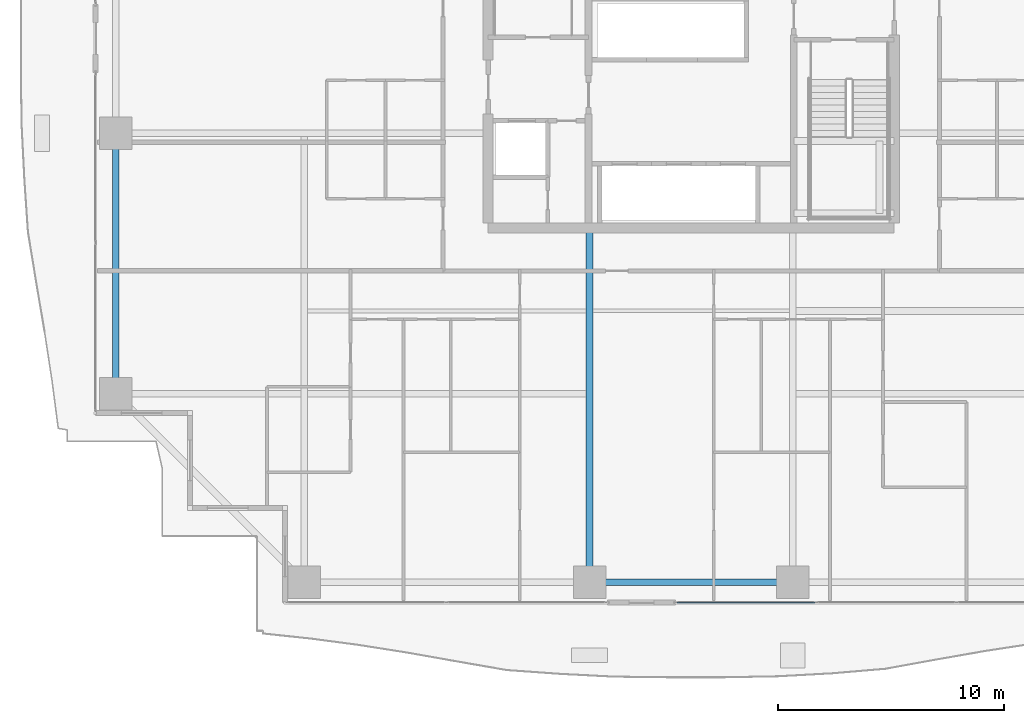
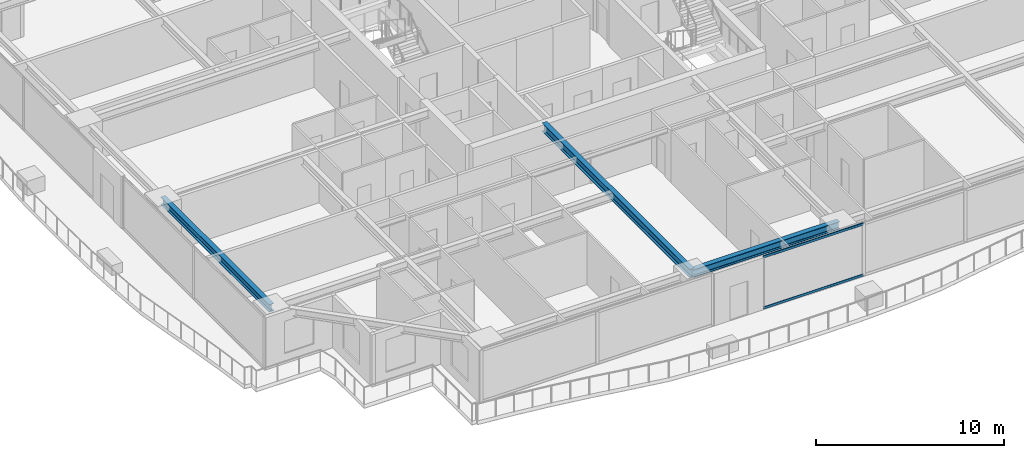
# One storey, part 6 of 40: 3 beams, 2 members, 1 element without a shape of its own.
"""IFC4 building model written with IfcOpenShell, lengths in metres."""

from ifc_helpers import new_model, si_unit, direction, frame, origin, origin_2d, place, context, subcontext, project, spatial, hollow_rectangle, i_section, extrude, source, transform, mapped, material, layer, layer_set, material_profile, profile_set, type_object, element, aggregate, save


model = new_model("IFC4")

# Units and contexts
model_context = context("Model", 3, precision=1e-05, world=origin(), true_north=direction((0.0, 1.0)))
body_context = subcontext(model_context, "Body", "Model", "MODEL_VIEW")
ifc_project = project(units=[si_unit("LENGTHUNIT", "METRE"), si_unit("AREAUNIT", "SQUARE_METRE"), si_unit("VOLUMEUNIT", "CUBIC_METRE"), si_unit("PLANEANGLEUNIT", "RADIAN"), si_unit("MASSUNIT", "GRAM", prefix="KILO")], contexts=[model_context])

# Site, building, storey
site_placement = place(None, origin())
site = spatial("IfcSite", under=ifc_project, at=site_placement, CompositionType="ELEMENT")
building_placement = place(site_placement, origin())
building = spatial("IfcBuilding", under=site, at=building_placement, Name="Serunith Strait Residences", CompositionType="ELEMENT")
storey_placement = place(building_placement, frame((0.0, 0.0, 105.449951171875)))
storey = spatial("IfcBuildingStorey", under=building, at=storey_placement, Name="L26", CompositionType="ELEMENT", Elevation=105.449951171875)

# Beams
ifc_material_1 = material(Name="Steel S355J2", Category="steel")
ifc_material_profile_1 = material_profile(ifc_material_1, i_section(OverallWidth=0.300048828125, OverallDepth=0.550048828125, WebThickness=0.014892578125, FlangeThickness=0.029052734375, FilletRadius=0.027099609375, at=origin_2d()), Name="HEB 550")
ifc_profile_set_1 = profile_set([ifc_material_profile_1], Name="Steel S355J2")
beam_type_1 = type_object("IfcBeamType", Name="BM-HEB550", PredefinedType="BEAM", material=ifc_profile_set_1)
shared_shape_1 = source(origin(), body_context, "Body", "SweptSolid", [
    extrude(i_section(OverallWidth=0.300048828125, OverallDepth=0.550048828125, WebThickness=0.014892578125, FlangeThickness=0.029052734375, FilletRadius=0.027099609375, at=origin_2d()), origin(), (0.0, 0.0, 1.0), 15.699951171875),
])
beam_1_placement = place(storey_placement, frame((27.89990234375, 16.800048828125, 3.112060546875), z_axis=(0.0, -1.0, 0.0), x_axis=(1.0, 0.0, 0.0)))
element("IfcBeam", 1, at=beam_1_placement, inside=storey, type_object=beam_type_1, Name="L26 Primary Floor Girder TC-S2", PredefinedType="BEAM", context=body_context, shape_type="MappedRepresentation", body=[
    mapped(shared_shape_1, transform((0.0, 0.0, 0.0), scale=1.0)),
])
ifc_material_profile_2 = material_profile(ifc_material_1, i_section(OverallWidth=0.300048828125, OverallDepth=0.5, WebThickness=0.014404296875, FlangeThickness=0.028076171875, FilletRadius=0.027099609375, at=origin_2d()), Name="HEB 500")
ifc_profile_set_2 = profile_set([ifc_material_profile_2], Name="Steel S355J2")
beam_type_2 = type_object("IfcBeamType", Name="BM-HEB500", PredefinedType="BEAM", material=ifc_profile_set_2)
shared_shape_2 = source(origin(), body_context, "Body", "SweptSolid", [
    extrude(i_section(OverallWidth=0.300048828125, OverallDepth=0.5, WebThickness=0.014404296875, FlangeThickness=0.028076171875, FilletRadius=0.027099609375, at=origin_2d()), origin(), (0.0, 0.0, 1.0), 9.0),
])
beam_2_placement = place(storey_placement, frame((27.89990234375, 1.10009765625, 3.136962890625), z_axis=(1.0, 0.0, 0.0), x_axis=(0.0, 1.0, 0.0)))
element("IfcBeam", 2, at=beam_2_placement, inside=storey, type_object=beam_type_2, Name="L26 Perimeter Ring Beam 02", PredefinedType="BEAM", context=body_context, shape_type="MappedRepresentation", body=[
    mapped(shared_shape_2, transform((0.0, 0.0, 0.0), scale=1.0)),
])
shared_shape_3 = source(origin(), body_context, "Body", "SweptSolid", [
    extrude(i_section(OverallWidth=0.300048828125, OverallDepth=0.5, WebThickness=0.014404296875, FlangeThickness=0.028076171875, FilletRadius=0.027099609375, at=origin_2d()), origin(), (0.0, 0.0, 1.0), 11.550048828125),
])
beam_3_placement = place(storey_placement, frame((6.89990234375, 21.0, 3.136962890625), z_axis=(0.0, -1.0, 0.0), x_axis=(1.0, 0.0, 0.0)))
element("IfcBeam", 3, at=beam_3_placement, inside=storey, type_object=beam_type_2, Name="L26 Perimeter Ring Beam 15", PredefinedType="BEAM", context=body_context, shape_type="MappedRepresentation", body=[
    mapped(shared_shape_3, transform((0.0, 0.0, 0.0), scale=1.0)),
])

# Curtain wall, members
ifc_material_2 = material(Name="Pale-Champagne Anodised Aluminium", Category="aluminium")
ifc_layer = layer(ifc_material_2, 0.199951171875, Name="Pale-Champagne Anodised Aluminium")
ifc_layer_set = layer_set([ifc_layer], Name="Pale-Champagne Anodised Aluminium")
curtain_wall_type = type_object("IfcCurtainWallType", Name="CW-SYS1", PredefinedType="NOTDEFINED", material=ifc_layer_set)
curtain_wall_placement = place(storey_placement, origin())
curtain_wall = element("IfcCurtainWall", 4, at=curtain_wall_placement, inside=storey, type_object=curtain_wall_type, Name="L26 S Unitised Fritted Curtain Wall", PredefinedType="NOTDEFINED")
ifc_material_profile_3 = material_profile(ifc_material_2, hollow_rectangle(XDim=0.06005859375, YDim=0.159912109375, WallThickness=0.00341796875, InnerFilletRadius=0.00537109375, OuterFilletRadius=0.0087890625, at=origin_2d()), Name="ALU 160x60x3.5")
ifc_profile_set_3 = profile_set([ifc_material_profile_3], Name="Pale-Champagne Anodised Aluminium")
member_type = type_object("IfcMemberType", Name="CW-SYS1-TRAN", PredefinedType="USERDEFINED", material=ifc_profile_set_3)
shared_shape_4 = source(origin(), body_context, "Body", "SweptSolid", [
    extrude(hollow_rectangle(XDim=0.06005859375, YDim=0.159912109375, WallThickness=0.00341796875, InnerFilletRadius=0.00537109375, OuterFilletRadius=0.0087890625, at=origin_2d()), origin(), (0.0, 0.0, 1.0), 6.12841796875),
])
member_1_placement = place(storey_placement, frame((31.77001953125, 0.199951171875, 0.030029296875), z_axis=(1.0, 0.0, 0.0), x_axis=(0.0, 1.0, 0.0)))
member_1 = element("IfcMember", 5, at=member_1_placement, type_object=member_type, Name="CW-1 transom 1.1", ObjectType="TRANSOM", PredefinedType="USERDEFINED", context=body_context, shape_type="MappedRepresentation", body=[
    mapped(shared_shape_4, transform((0.0, 0.0, 0.0), scale=1.0)),
])
member_2_placement = place(storey_placement, frame((31.77001953125, 0.199951171875, 3.344970703125), z_axis=(1.0, 0.0, 0.0), x_axis=(0.0, 1.0, 0.0)))
member_2 = element("IfcMember", 6, at=member_2_placement, type_object=member_type, Name="CW-1 transom 1.2", ObjectType="TRANSOM", PredefinedType="USERDEFINED", context=body_context, shape_type="MappedRepresentation", body=[
    mapped(shared_shape_4, transform((0.0, 0.0, 0.0), scale=1.0)),
])
aggregate(curtain_wall, [member_1, member_2])

save(model, "model.ifc")
